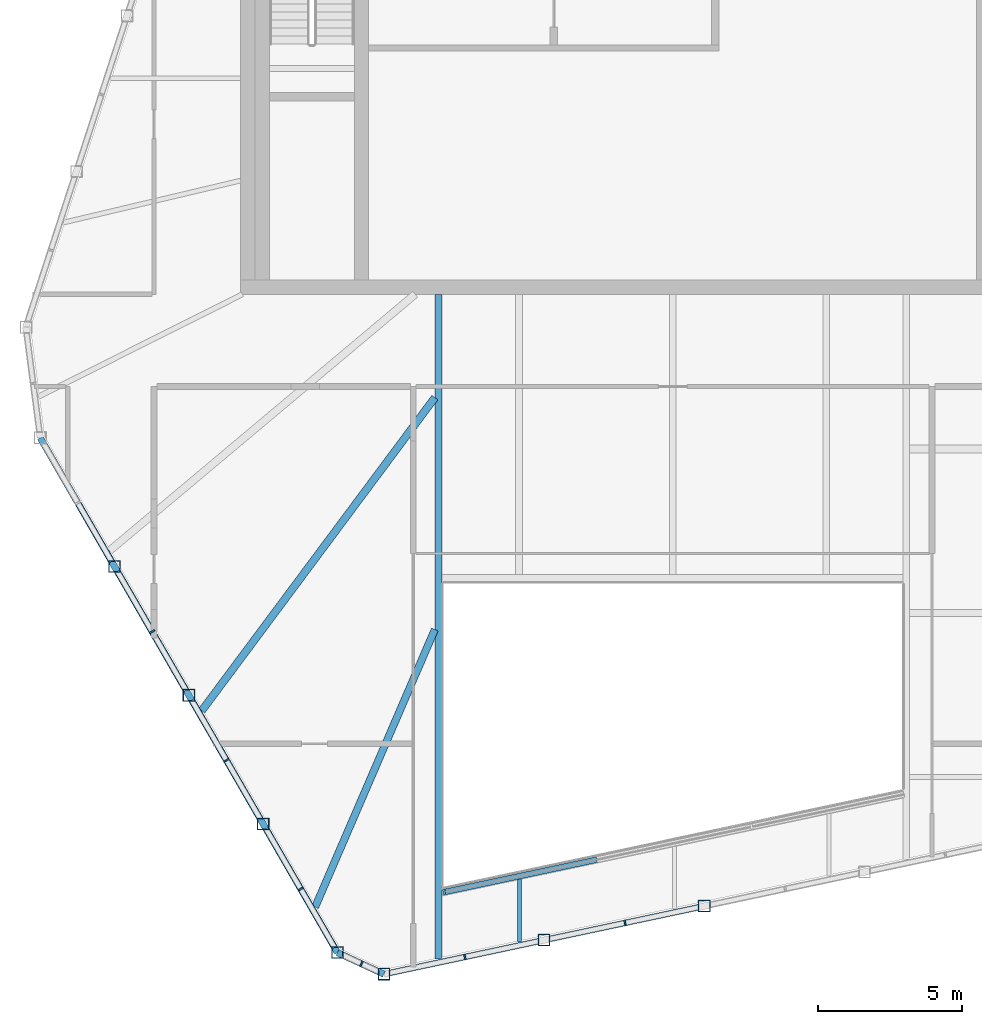
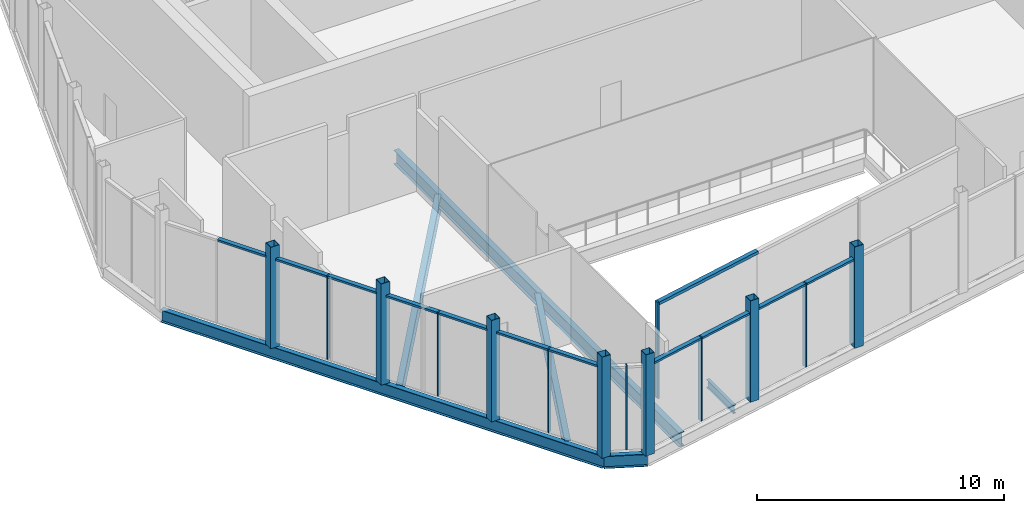
# One storey, part 1 of 12: 26 members, 6 beams, 4 elements without a shape of their own.
"""IFC4 building model written with IfcOpenShell, lengths in metres."""

from ifc_helpers import new_model, si_unit, direction, frame, origin, origin_2d, place, context, subcontext, project, spatial, rectangle, hollow_rectangle, i_section, extrude, material, layer, layer_set, material_profile, profile_set, type_object, element, aggregate, save


model = new_model("IFC4")

# Units and contexts
model_context = context("Model", 3, precision=1e-05, world=origin(), true_north=direction((0.0, 1.0)))
body_context = subcontext(model_context, "Body", "Model", "MODEL_VIEW")
ifc_project = project(units=[si_unit("LENGTHUNIT", "METRE"), si_unit("AREAUNIT", "SQUARE_METRE"), si_unit("VOLUMEUNIT", "CUBIC_METRE"), si_unit("PLANEANGLEUNIT", "RADIAN"), si_unit("MASSUNIT", "GRAM", prefix="KILO")], contexts=[model_context])

# Site, building, storey
site_placement = place(None, origin())
site = spatial("IfcSite", under=ifc_project, at=site_placement, CompositionType="ELEMENT")
building_placement = place(site_placement, origin())
building = spatial("IfcBuilding", under=site, at=building_placement, Name="Isthmus Gate Tower", CompositionType="ELEMENT")
storey_placement = place(building_placement, frame((0.0, 0.0, 306.10009765625)))
storey = spatial("IfcBuildingStorey", under=building, at=storey_placement, Name="C2", CompositionType="ELEMENT", Elevation=306.10009765625)

# Members
ifc_material_1 = material(Name="Structural steel ASTM A500 Gr C", Category="steel")
ifc_material_profile_1 = material_profile(ifc_material_1, hollow_rectangle(XDim=0.406494140625, YDim=0.406494140625, WallThickness=0.017578125, at=origin_2d()), Name="HSS16X16X3/4")
ifc_profile_set_1 = profile_set([ifc_material_profile_1], Name="Structural steel ASTM A500 Gr C")
member_type_1 = type_object("IfcMemberType", Name="CROWN POST HSS16X16X3/4", PredefinedType="POST", material=ifc_profile_set_1)
for number, where, z_axis, x_axis, name in (
    (1, (-19.370849609375, -9.44873046875, -0.25), (0.0, 0.0, 1.0), (1.0, 0.0, 0.0), "str-crownpost-C2-12"),
    (2, (-16.792236328125, -13.9150390625, -0.25), (0.0, 0.0, 1.0), (1.0, 0.0, 0.0), "str-crownpost-C2-13"),
    (3, (-14.213623046875, -18.38134765625, -0.25), (0.0, 0.0, 1.0), (1.0, 0.0, 0.0), "str-crownpost-C2-14"),
    (4, (-11.634765625, -22.847900390625, -0.25), (0.0, 0.0, 1.0), (1.0, 0.0, 0.0), "str-crownpost-C2-15"),
    (5, (-10.020263671875, -23.596435546875, -0.25), (0.0, 0.0, 1.0), (1.0, 0.0, 0.0), "str-crownpost-C2-16"),
    (6, (-4.46142578125, -22.414794921875, -0.25), (0.0, 0.0, 1.0), (1.0, 0.0, 0.0), "str-crownpost-C2-17"),
    (7, (1.097412109375, -21.233154296875, -0.25), (0.0, 0.0, 1.0), (1.0, 0.0, 0.0), "str-crownpost-C2-18"),
):
    element("IfcMember", number, at=place(storey_placement, frame(where, z_axis=z_axis, x_axis=x_axis)), inside=storey, type_object=member_type_1, Name=name, PredefinedType="POST", context=body_context, shape_type="SweptSolid", body=[
        extrude(hollow_rectangle(XDim=0.406494140625, YDim=0.406494140625, WallThickness=0.017578125, at=origin_2d()), origin(), (0.0, 0.0, 1.0), 5.0),
    ])

# Beams
ifc_material_2 = material(Name="Structural steel ASTM A992 Gr 50", Category="steel")
ifc_material_profile_2 = material_profile(ifc_material_2, i_section(OverallWidth=0.231689453125, OverallDepth=0.615966796875, WebThickness=0.0126953125, FlangeThickness=0.022216796875, at=origin_2d()), Name="W24X94")
ifc_profile_set_2 = profile_set([ifc_material_profile_2], Name="Structural steel ASTM A992 Gr 50")
beam_type_1 = type_object("IfcBeamType", Name="CROWN RING BEAM W24X94", PredefinedType="BEAM", material=ifc_profile_set_2)
beam_1_placement = place(storey_placement, frame((-21.949462890625, -4.982177734375, -0.55810546875), z_axis=(0.499996999955, -0.866027135854, 0.0), x_axis=(0.866027135854, 0.499996999955, 0.0)))
element("IfcBeam", 8, at=beam_1_placement, inside=storey, type_object=beam_type_1, Name="str-crownring-C2-04", PredefinedType="BEAM", context=body_context, shape_type="SweptSolid", body=[
    extrude(i_section(OverallWidth=0.231689453125, OverallDepth=0.615966796875, WebThickness=0.0126953125, FlangeThickness=0.022216796875, at=origin_2d()), origin(), (0.0, 0.0, 1.0), 20.629638671875),
])
beam_2_placement = place(storey_placement, frame((-11.634765625, -22.847900390625, -0.55810546875), z_axis=(0.907235278747, -0.420623524065, 0.0), x_axis=(0.420623524065, 0.907235278747, 0.0)))
element("IfcBeam", 9, at=beam_2_placement, inside=storey, type_object=beam_type_1, Name="str-crownring-C2-05", PredefinedType="BEAM", context=body_context, shape_type="SweptSolid", body=[
    extrude(i_section(OverallWidth=0.231689453125, OverallDepth=0.615966796875, WebThickness=0.0126953125, FlangeThickness=0.022216796875, at=origin_2d()), origin(), (0.0, 0.0, 1.0), 1.779541015625),
])

# Curtain wall, members
ifc_material_3 = material(Name="Aluminium, pale champagne anodised", Category="aluminium")
ifc_layer_1 = layer(ifc_material_3, 0.199951171875)
ifc_layer_set_1 = layer_set([ifc_layer_1], Name="CW-2 LOUVRE CURTAIN WALL 200 DEEP")
curtain_wall_type_1 = type_object("IfcCurtainWallType", Name="CW-2 LOUVRE CURTAIN WALL 200 DEEP", PredefinedType="NOTDEFINED", material=ifc_layer_set_1)
curtain_wall_1_placement = place(storey_placement, origin())
curtain_wall_1 = element("IfcCurtainWall", 10, at=curtain_wall_1_placement, inside=storey, type_object=curtain_wall_type_1, Name="CW-2 E04 C2", PredefinedType="NOTDEFINED")
ifc_material_4 = material(Name="Aluminium, pale champagne anodised", Category="aluminium")
ifc_material_profile_3 = material_profile(ifc_material_4, rectangle(XDim=0.06005859375, YDim=0.199951171875, at=origin_2d()), Name="60x200")
ifc_profile_set_3 = profile_set([ifc_material_profile_3], Name="Aluminium, pale champagne anodised")
member_type_2 = type_object("IfcMemberType", Name="CW-2 MULLION 60 X 200", PredefinedType="MULLION", material=ifc_profile_set_3)
member_1_placement = place(storey_placement, frame((-18.066650390625, -11.707763671875, 0.0), z_axis=(0.0, 0.0, 1.0), x_axis=(0.5, -0.866025403784, 0.0)))
member_1 = element("IfcMember", 11, at=member_1_placement, type_object=member_type_2, Name="CW-2 mullion", PredefinedType="MULLION", context=body_context, shape_type="SweptSolid", body=[
    extrude(rectangle(XDim=0.06005859375, YDim=0.199951171875, at=origin_2d()), origin(), (0.0, 0.0, 1.0), 4.134033203125),
])
member_2_placement = place(storey_placement, frame((-15.48779296875, -16.17431640625, 0.0), z_axis=(0.0, 0.0, 1.0), x_axis=(0.5, -0.866025403784, 0.0)))
member_2 = element("IfcMember", 12, at=member_2_placement, type_object=member_type_2, Name="CW-2 mullion", PredefinedType="MULLION", context=body_context, shape_type="SweptSolid", body=[
    extrude(rectangle(XDim=0.06005859375, YDim=0.199951171875, at=origin_2d()), origin(), (0.0, 0.0, 1.0), 4.134033203125),
])
member_3_placement = place(storey_placement, frame((-12.9091796875, -20.640625, 0.0), z_axis=(0.0, 0.0, 1.0), x_axis=(0.5, -0.866025403784, 0.0)))
member_3 = element("IfcMember", 13, at=member_3_placement, type_object=member_type_2, Name="CW-2 mullion", PredefinedType="MULLION", context=body_context, shape_type="SweptSolid", body=[
    extrude(rectangle(XDim=0.06005859375, YDim=0.199951171875, at=origin_2d()), origin(), (0.0, 0.0, 1.0), 4.134033203125),
])

# Curtain wall, member
curtain_wall_2_placement = place(storey_placement, origin())
curtain_wall_2 = element("IfcCurtainWall", 14, at=curtain_wall_2_placement, inside=storey, type_object=curtain_wall_type_1, Name="CW-2 E05 C2", PredefinedType="NOTDEFINED")
member_4_placement = place(storey_placement, frame((-10.80029296875, -23.234619140625, 0.0), z_axis=(0.0, 0.0, 1.0), x_axis=(0.907256261367, -0.420578264073, 0.0)))
member_4 = element("IfcMember", 15, at=member_4_placement, type_object=member_type_2, Name="CW-2 mullion", PredefinedType="MULLION", context=body_context, shape_type="SweptSolid", body=[
    extrude(rectangle(XDim=0.06005859375, YDim=0.199951171875, at=origin_2d()), origin(), (0.0, 0.0, 1.0), 4.134033203125),
])
aggregate(curtain_wall_2, [member_4])

# Curtain wall, members
curtain_wall_3_placement = place(storey_placement, origin())
curtain_wall_3 = element("IfcCurtainWall", 16, at=curtain_wall_3_placement, inside=storey, type_object=curtain_wall_type_1, Name="CW-2 E06 C2", PredefinedType="NOTDEFINED")
member_5_placement = place(storey_placement, frame((-7.21142578125, -22.999267578125, 0.0), z_axis=(0.0, 0.0, 1.0), x_axis=(0.978147600734, 0.207911690818, 0.0)))
member_5 = element("IfcMember", 17, at=member_5_placement, type_object=member_type_2, Name="CW-2 mullion", PredefinedType="MULLION", context=body_context, shape_type="SweptSolid", body=[
    extrude(rectangle(XDim=0.06005859375, YDim=0.199951171875, at=origin_2d()), origin(), (0.0, 0.0, 1.0), 4.134033203125),
])
member_6_placement = place(storey_placement, frame((-1.652587890625, -21.81787109375, 0.0), z_axis=(0.0, 0.0, 1.0), x_axis=(0.978147600734, 0.207911690818, 0.0)))
member_6 = element("IfcMember", 18, at=member_6_placement, type_object=member_type_2, Name="CW-2 mullion", PredefinedType="MULLION", context=body_context, shape_type="SweptSolid", body=[
    extrude(rectangle(XDim=0.06005859375, YDim=0.199951171875, at=origin_2d()), origin(), (0.0, 0.0, 1.0), 4.134033203125),
])

# Member
ifc_material_5 = material(Name="Aluminium, pale champagne anodised", Category="aluminium")
ifc_material_profile_4 = material_profile(ifc_material_5, rectangle(XDim=0.199951171875, YDim=0.10009765625, at=origin_2d()), Name="200x100")
ifc_profile_set_4 = profile_set([ifc_material_profile_4], Name="Aluminium, pale champagne anodised")
member_type_3 = type_object("IfcMemberType", Name="CW-2 TRANSOM 200 X 100", PredefinedType="USERDEFINED", material=ifc_profile_set_4)
member_7_placement = place(storey_placement, frame((-20.630126953125, -7.267333984375, 4.083984375), z_axis=(0.499971918929, -0.866041615791, 0.0), x_axis=(0.866041615791, 0.499971918929, 0.0)))
member_7 = element("IfcMember", 19, at=member_7_placement, type_object=member_type_3, Name="CW-2 transom", ObjectType="TRANSOM", PredefinedType="USERDEFINED", context=body_context, shape_type="SweptSolid", body=[
    extrude(rectangle(XDim=0.199951171875, YDim=0.10009765625, at=origin_2d()), origin(), (0.0, 0.0, 1.0), 2.315673828125),
])

member_8_placement = place(storey_placement, frame((-19.269287109375, -9.62451171875, 4.083984375), z_axis=(0.49997450891, -0.866040120572, 0.0), x_axis=(0.866040120572, 0.49997450891, 0.0)))
member_8 = element("IfcMember", 20, at=member_8_placement, type_object=member_type_3, Name="CW-2 transom", ObjectType="TRANSOM", PredefinedType="USERDEFINED", context=body_context, shape_type="SweptSolid", body=[
    extrude(rectangle(XDim=0.199951171875, YDim=0.10009765625, at=origin_2d()), origin(), (0.0, 0.0, 1.0), 2.37548828125),
])

member_9_placement = place(storey_placement, frame((-18.051513671875, -11.73388671875, 4.083984375), z_axis=(0.50001757531, -0.866015256437, 0.0), x_axis=(0.866015256437, 0.50001757531, 0.0)))
member_9 = element("IfcMember", 21, at=member_9_placement, type_object=member_type_3, Name="CW-2 transom", ObjectType="TRANSOM", PredefinedType="USERDEFINED", context=body_context, shape_type="SweptSolid", body=[
    extrude(rectangle(XDim=0.199951171875, YDim=0.10009765625, at=origin_2d()), origin(), (0.0, 0.0, 1.0), 2.3154296875),
])

member_10_placement = place(storey_placement, frame((-16.690673828125, -14.091064453125, 4.083984375), z_axis=(0.500019011276, -0.866014427341, 0.0), x_axis=(0.866014427341, 0.500019011276, 0.0)))
member_10 = element("IfcMember", 22, at=member_10_placement, type_object=member_type_3, Name="CW-2 transom", ObjectType="TRANSOM", PredefinedType="USERDEFINED", context=body_context, shape_type="SweptSolid", body=[
    extrude(rectangle(XDim=0.199951171875, YDim=0.10009765625, at=origin_2d()), origin(), (0.0, 0.0, 1.0), 2.37548828125),
])

member_11_placement = place(storey_placement, frame((-15.472900390625, -16.2001953125, 4.083984375), z_axis=(0.50001757531, -0.866015256437, 0.0), x_axis=(0.866015256437, 0.50001757531, 0.0)))
member_11 = element("IfcMember", 23, at=member_11_placement, type_object=member_type_3, Name="CW-2 transom", ObjectType="TRANSOM", PredefinedType="USERDEFINED", context=body_context, shape_type="SweptSolid", body=[
    extrude(rectangle(XDim=0.199951171875, YDim=0.10009765625, at=origin_2d()), origin(), (0.0, 0.0, 1.0), 2.3154296875),
])

member_12_placement = place(storey_placement, frame((-14.112060546875, -18.557373046875, 4.083984375), z_axis=(0.500019011276, -0.866014427341, 0.0), x_axis=(0.866014427341, 0.500019011276, 0.0)))
member_12 = element("IfcMember", 24, at=member_12_placement, type_object=member_type_3, Name="CW-2 transom", ObjectType="TRANSOM", PredefinedType="USERDEFINED", context=body_context, shape_type="SweptSolid", body=[
    extrude(rectangle(XDim=0.199951171875, YDim=0.10009765625, at=origin_2d()), origin(), (0.0, 0.0, 1.0), 2.37548828125),
])

member_13_placement = place(storey_placement, frame((-12.894287109375, -20.66650390625, 4.083984375), z_axis=(0.499971918929, -0.866041615791, 0.0), x_axis=(0.866041615791, 0.499971918929, 0.0)))
member_13 = element("IfcMember", 25, at=member_13_placement, type_object=member_type_3, Name="CW-2 transom", ObjectType="TRANSOM", PredefinedType="USERDEFINED", context=body_context, shape_type="SweptSolid", body=[
    extrude(rectangle(XDim=0.199951171875, YDim=0.10009765625, at=origin_2d()), origin(), (0.0, 0.0, 1.0), 2.315673828125),
])

aggregate(curtain_wall_1, [member_7, member_8, member_1, member_9, member_10, member_2, member_11, member_12, member_3, member_13])

member_14_placement = place(storey_placement, frame((-9.8212890625, -23.55419921875, 4.083984375), z_axis=(0.978142384703, 0.207936228801, 0.0), x_axis=(-0.207936228801, 0.978142384703, 0.0)))
member_14 = element("IfcMember", 26, at=member_14_placement, type_object=member_type_3, Name="CW-2 transom", ObjectType="TRANSOM", PredefinedType="USERDEFINED", context=body_context, shape_type="SweptSolid", body=[
    extrude(rectangle(XDim=0.199951171875, YDim=0.10009765625, at=origin_2d()), origin(), (0.0, 0.0, 1.0), 2.63818359375),
])

member_15_placement = place(storey_placement, frame((-7.18212890625, -22.9931640625, 4.083984375), z_axis=(0.978142002072, 0.207938028708, 0.0), x_axis=(-0.207938028708, 0.978142002072, 0.0)))
member_15 = element("IfcMember", 27, at=member_15_placement, type_object=member_type_3, Name="CW-2 transom", ObjectType="TRANSOM", PredefinedType="USERDEFINED", context=body_context, shape_type="SweptSolid", body=[
    extrude(rectangle(XDim=0.199951171875, YDim=0.10009765625, at=origin_2d()), origin(), (0.0, 0.0, 1.0), 2.578369140625),
])

member_16_placement = place(storey_placement, frame((-4.262451171875, -22.37255859375, 4.083984375), z_axis=(0.978142384703, 0.207936228801, 0.0), x_axis=(-0.207936228801, 0.978142384703, 0.0)))
member_16 = element("IfcMember", 28, at=member_16_placement, type_object=member_type_3, Name="CW-2 transom", ObjectType="TRANSOM", PredefinedType="USERDEFINED", context=body_context, shape_type="SweptSolid", body=[
    extrude(rectangle(XDim=0.199951171875, YDim=0.10009765625, at=origin_2d()), origin(), (0.0, 0.0, 1.0), 2.63818359375),
])

member_17_placement = place(storey_placement, frame((-1.623291015625, -21.8115234375, 4.083984375), z_axis=(0.978142002072, 0.207938028708, 0.0), x_axis=(-0.207938028708, 0.978142002072, 0.0)))
member_17 = element("IfcMember", 29, at=member_17_placement, type_object=member_type_3, Name="CW-2 transom", ObjectType="TRANSOM", PredefinedType="USERDEFINED", context=body_context, shape_type="SweptSolid", body=[
    extrude(rectangle(XDim=0.199951171875, YDim=0.10009765625, at=origin_2d()), origin(), (0.0, 0.0, 1.0), 2.578369140625),
])

aggregate(curtain_wall_3, [member_14, member_5, member_15, member_16, member_6, member_17])

# Curtain wall, members
ifc_material_6 = material(Name="Aluminium, pale champagne anodised", Category="aluminium")
ifc_layer_2 = layer(ifc_material_6, 0.199951171875)
ifc_layer_set_2 = layer_set([ifc_layer_2], Name="CW-4 ATRIUM CURTAIN WALL 200 DEEP")
curtain_wall_type_2 = type_object("IfcCurtainWallType", Name="CW-4 ATRIUM CURTAIN WALL 200 DEEP", PredefinedType="NOTDEFINED", material=ifc_layer_set_2)
curtain_wall_4_placement = place(storey_placement, origin())
curtain_wall_4 = element("IfcCurtainWall", 30, at=curtain_wall_4_placement, inside=storey, type_object=curtain_wall_type_2, Name="CW-4 atrium south C2", PredefinedType="NOTDEFINED")
ifc_material_7 = material(Name="Aluminium, pale champagne anodised", Category="aluminium")
ifc_material_profile_5 = material_profile(ifc_material_7, rectangle(XDim=0.080078125, YDim=0.199951171875, at=origin_2d()), Name="80x200")
ifc_profile_set_5 = profile_set([ifc_material_profile_5], Name="Aluminium, pale champagne anodised")
member_type_4 = type_object("IfcMemberType", Name="CW-4 MULLION 80 X 200", PredefinedType="MULLION", material=ifc_profile_set_5)
member_18_placement = place(storey_placement, frame((-7.9296875, -20.74951171875, 0.0), z_axis=(0.0, 0.0, 1.0), x_axis=(0.978147600734, 0.207911690818, 0.0)))
member_18 = element("IfcMember", 31, at=member_18_placement, type_object=member_type_4, Name="CW-4 mullion", PredefinedType="MULLION", context=body_context, shape_type="SweptSolid", body=[
    extrude(rectangle(XDim=0.080078125, YDim=0.199951171875, at=origin_2d()), origin(), (0.0, 0.0, 1.0), 4.75),
])
ifc_material_8 = material(Name="Aluminium, pale champagne anodised", Category="aluminium")
ifc_material_profile_6 = material_profile(ifc_material_8, rectangle(XDim=0.199951171875, YDim=0.14990234375, at=origin_2d()), Name="200x150")
ifc_profile_set_6 = profile_set([ifc_material_profile_6], Name="Aluminium, pale champagne anodised")
member_type_5 = type_object("IfcMemberType", Name="CW-4 TRANSOM 200 X 150", PredefinedType="USERDEFINED", material=ifc_profile_set_6)
member_19_placement = place(storey_placement, frame((-7.890625, -20.7412109375, 4.6748046875), z_axis=(0.978150188204, 0.207899517354, 0.0), x_axis=(-0.207899517354, 0.978150188204, 0.0)))
member_19 = element("IfcMember", 32, at=member_19_placement, type_object=member_type_5, Name="CW-4 transom", ObjectType="TRANSOM", PredefinedType="USERDEFINED", context=body_context, shape_type="SweptSolid", body=[
    extrude(rectangle(XDim=0.199951171875, YDim=0.14990234375, at=origin_2d()), origin(), (0.0, 0.0, 1.0), 5.37255859375),
])
aggregate(curtain_wall_4, [member_18, member_19])

# Beams
ifc_material_9 = material(Name="Structural steel ASTM A992 Gr 50", Category="steel")
ifc_material_profile_7 = material_profile(ifc_material_9, i_section(OverallWidth=0.1396484375, OverallDepth=0.4033203125, WebThickness=0.00634765625, FlangeThickness=0.010986328125, at=origin_2d()), Name="W16X31")
ifc_profile_set_7 = profile_set([ifc_material_profile_7], Name="Structural steel ASTM A992 Gr 50")
beam_type_2 = type_object("IfcBeamType", Name="STEEL FLOOR BEAM W16X31", PredefinedType="JOIST", material=ifc_profile_set_7)
beam_3_placement = place(storey_placement, frame((-5.314208984375, -22.4775390625, -0.45166015625), z_axis=(0.0, 1.0, 0.0), x_axis=(-1.0, 0.0, 0.0)))
element("IfcBeam", 33, at=beam_3_placement, inside=storey, type_object=beam_type_2, Name="str-beam-C2-01-00", PredefinedType="JOIST", context=body_context, shape_type="SweptSolid", body=[
    extrude(i_section(OverallWidth=0.1396484375, OverallDepth=0.4033203125, WebThickness=0.00634765625, FlangeThickness=0.010986328125, at=origin_2d()), origin(), (0.0, 0.0, 1.0), 2.16455078125),
])
ifc_material_10 = material(Name="Structural steel ASTM A992 Gr 50", Category="steel")
ifc_material_profile_8 = material_profile(ifc_material_10, i_section(OverallWidth=0.25390625, OverallDepth=0.679443359375, WebThickness=0.010986328125, FlangeThickness=0.015869140625, at=origin_2d()), Name="W27X84")
ifc_profile_set_8 = profile_set([ifc_material_profile_8], Name="Structural steel ASTM A992 Gr 50")
beam_type_3 = type_object("IfcBeamType", Name="STEEL FLOOR BEAM W27X84", PredefinedType="JOIST", material=ifc_profile_set_8)
beam_4_placement = place(storey_placement, frame((-8.25390625, -11.635009765625, -0.58984375), z_axis=(-0.396088419483, -0.918212374101, 0.0), x_axis=(0.918212374101, -0.396088419483, 0.0)))
element("IfcBeam", 34, at=beam_4_placement, inside=storey, type_object=beam_type_3, Name="str-beam-C2-00-16", PredefinedType="JOIST", context=body_context, shape_type="SweptSolid", body=[
    extrude(i_section(OverallWidth=0.25390625, OverallDepth=0.679443359375, WebThickness=0.010986328125, FlangeThickness=0.015869140625, at=origin_2d()), origin(), (0.0, 0.0, 1.0), 10.4951171875),
])
ifc_material_11 = material(Name="Structural steel ASTM A992 Gr 50", Category="steel")
ifc_material_profile_9 = material_profile(ifc_material_11, i_section(OverallWidth=0.263427734375, OverallDepth=0.749267578125, WebThickness=0.0126953125, FlangeThickness=0.015869140625, at=origin_2d()), Name="W30X90")
ifc_profile_set_9 = profile_set([ifc_material_profile_9], Name="Structural steel ASTM A992 Gr 50")
beam_type_4 = type_object("IfcBeamType", Name="STEEL FLOOR BEAM W30X90", PredefinedType="JOIST", material=ifc_profile_set_9)
beam_5_placement = place(storey_placement, frame((-8.25390625, -3.587158203125, -0.624755859375), z_axis=(-0.597171204021, -0.802113803078, 0.0), x_axis=(0.802113803078, -0.597171204021, 0.0)))
element("IfcBeam", 35, at=beam_5_placement, inside=storey, type_object=beam_type_4, Name="str-beam-C2-00-15", PredefinedType="JOIST", context=body_context, shape_type="SweptSolid", body=[
    extrude(i_section(OverallWidth=0.263427734375, OverallDepth=0.749267578125, WebThickness=0.0126953125, FlangeThickness=0.015869140625, at=origin_2d()), origin(), (0.0, 0.0, 1.0), 13.550537109375),
])
ifc_material_12 = material(Name="Structural steel ASTM A992 Gr 50", Category="steel")
ifc_material_profile_10 = material_profile(ifc_material_12, i_section(OverallWidth=0.25390625, OverallDepth=0.679443359375, WebThickness=0.010986328125, FlangeThickness=0.015869140625, at=origin_2d()), Name="W27X84")
ifc_profile_set_10 = profile_set([ifc_material_profile_10], Name="Structural steel ASTM A992 Gr 50")
beam_type_5 = type_object("IfcBeamType", Name="STEEL TRIMMER W27X84", PredefinedType="BEAM", material=ifc_profile_set_10)
beam_6_placement = place(storey_placement, frame((-8.126953125, 0.0, -0.58984375), z_axis=(0.0, -1.0, 0.0), x_axis=(1.0, 0.0, 0.0)))
element("IfcBeam", 36, at=beam_6_placement, inside=storey, type_object=beam_type_5, Name="str-trimmer-C2-02", PredefinedType="BEAM", context=body_context, shape_type="SweptSolid", body=[
    extrude(i_section(OverallWidth=0.25390625, OverallDepth=0.679443359375, WebThickness=0.010986328125, FlangeThickness=0.015869140625, at=origin_2d()), origin(), (0.0, 0.0, 1.0), 23.075439453125),
])

save(model, "model.ifc")
